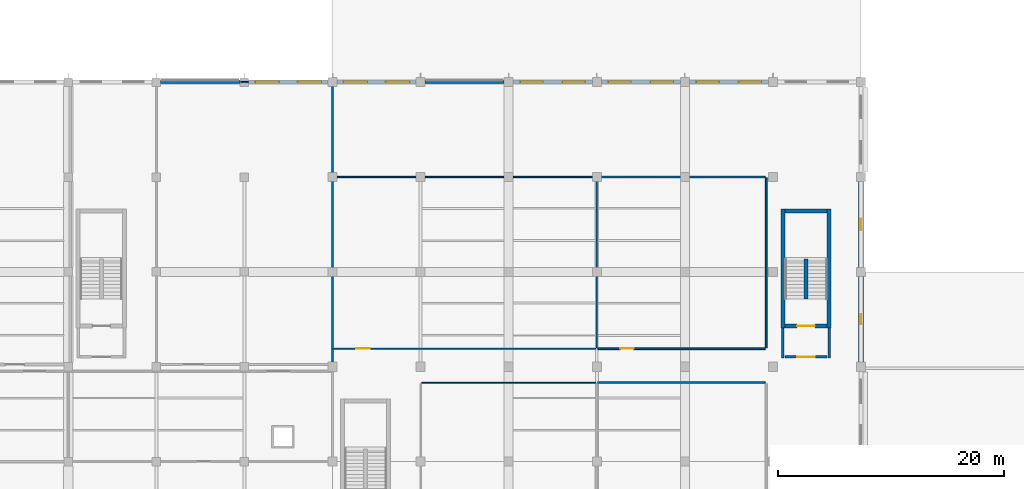
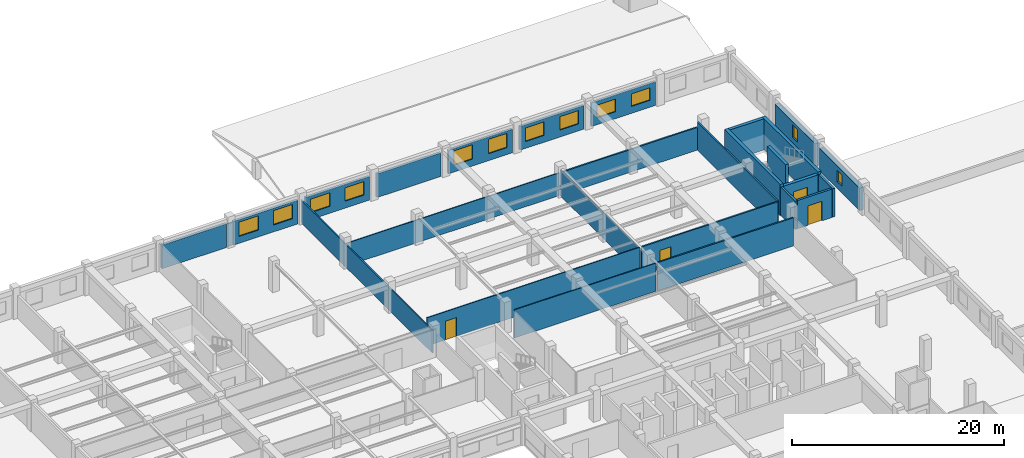
# One storey, part 45 of 50: 27 walls, 12 windows, 4 doors, 16 openings.
"""IFC4 building model written with IfcOpenShell, lengths in metres."""

from ifc_helpers import new_model, si_unit, direction, frame, frame_2d, origin, place, context, subcontext, project, spatial, rectangle, extrude, material, layer, layer_set, type_object, element, fill, save


model = new_model("IFC4")

# Units and contexts
model_context = context("Model", 3, precision=1e-05, world=origin(), true_north=direction((0.0, 1.0)))
body_context = subcontext(model_context, "Body", "Model", "MODEL_VIEW")
ifc_project = project(units=[si_unit("LENGTHUNIT", "METRE"), si_unit("AREAUNIT", "SQUARE_METRE"), si_unit("VOLUMEUNIT", "CUBIC_METRE"), si_unit("PLANEANGLEUNIT", "RADIAN"), si_unit("MASSUNIT", "GRAM", prefix="KILO"), si_unit("THERMODYNAMICTEMPERATUREUNIT", "KELVIN"), si_unit("POWERUNIT", "WATT")], contexts=[model_context])

# Site, building, storey
site_placement = place(None, origin())
site = spatial("IfcSite", under=ifc_project, at=site_placement, CompositionType="ELEMENT")
building_placement = place(site_placement, origin())
building = spatial("IfcBuilding", under=site, at=building_placement, Name="Srebrne Nadtorze General Hospital", CompositionType="ELEMENT")
storey_placement = place(building_placement, frame((0.0, 0.0, 14.39990234375)))
storey = spatial("IfcBuildingStorey", under=building, at=storey_placement, Name="L03", CompositionType="ELEMENT", Elevation=14.39990234375)

# Wall, opening, window
ifc_material_1 = material(Name="Concrete C40/50", Category="concrete")
ifc_layer_1 = layer(ifc_material_1, 0.419921875)
ifc_layer_set_1 = layer_set([ifc_layer_1], Name="Concrete C40/50")
wall_type_1 = type_object("IfcWallType", Name="Acoustic buffer wall 420", PredefinedType="SOLIDWALL", material=ifc_layer_set_1)
wall_1_placement = place(storey_placement, frame((148.199951171875, 67.60009765625, 0.0), z_axis=(0.0, 0.0, 1.0), x_axis=(0.0, 1.0, 0.0)))
wall_1 = element("IfcWall", 1, at=wall_1_placement, inside=storey, type_object=wall_type_1, Name="Exterior wall WL-ENV-L03-0341", PredefinedType="SOLIDWALL", context=body_context, shape_type="SweptSolid", body=[
    extrude(rectangle(XDim=7.599853515625, YDim=0.419921875, at=frame_2d((3.7998046875, 0.0))), origin(), (0.0, 0.0, 1.0), 2.6201171875),
])
opening_1_placement = place(wall_1_placement, frame((3.35009765625, 0.0, 0.800048828125)))
opening_1 = element("IfcOpeningElement", 2, at=opening_1_placement, cuts=wall_1, Name="Opening WN-L03-0503", PredefinedType="OPENING", context=body_context, shape_type="SweptSolid", body=[
    extrude(rectangle(XDim=0.89990234375, YDim=1.300048828125, at=frame_2d((0.449951171875, 0.64990234375))), frame((0.0, 0.221923828125, 0.0), z_axis=(0.0, -1.0, 0.0), x_axis=(1.0, 0.0, 0.0)), (0.0, 0.0, 1.0), 0.44384765625),
])
ifc_material_2 = material(Name="Triple Low-E Glazing", Category="glass")
window_type_1 = type_object("IfcWindowType", Name="Punched clinical window 900x1300", PartitioningType="SINGLE_PANEL", PredefinedType="WINDOW", material=ifc_material_2)
window_1_placement = place(opening_1_placement, origin())
window_1 = element("IfcWindow", 3, at=window_1_placement, inside=storey, type_object=window_type_1, Name="Clinical window WN-L03-0503", OverallHeight=1.300048828125, OverallWidth=0.89990234375, PartitioningType="SINGLE_PANEL", PredefinedType="WINDOW", context=body_context, shape_type="SweptSolid", body=[
    extrude(rectangle(XDim=0.89990234375, YDim=1.300048828125, at=frame_2d((0.449951171875, 0.64990234375))), frame((0.0, 0.030029296875, 0.0), z_axis=(0.0, -1.0, 0.0), x_axis=(1.0, 0.0, 0.0)), (0.0, 0.0, 1.0), 0.06005859375),
])
fill(opening_1, window_1)

wall_2_placement = place(storey_placement, frame((148.199951171875, 76.0, 0.0), z_axis=(0.0, 0.0, 1.0), x_axis=(0.0, 1.0, 0.0)))
wall_2 = element("IfcWall", 4, at=wall_2_placement, inside=storey, type_object=wall_type_1, Name="Exterior wall WL-ENV-L03-0342", PredefinedType="SOLIDWALL", context=body_context, shape_type="SweptSolid", body=[
    extrude(rectangle(XDim=7.60009765625, YDim=0.419921875, at=frame_2d((3.800048828125, 0.0))), origin(), (0.0, 0.0, 1.0), 2.6201171875),
])
opening_2_placement = place(wall_2_placement, frame((3.300048828125, 0.0, 0.800048828125)))
opening_2 = element("IfcOpeningElement", 5, at=opening_2_placement, cuts=wall_2, Name="Opening WN-L03-0504", PredefinedType="OPENING", context=body_context, shape_type="SweptSolid", body=[
    extrude(rectangle(XDim=1.0, YDim=1.449951171875, at=frame_2d((0.5, 0.72509765625))), frame((0.0, 0.221923828125, 0.0), z_axis=(0.0, -1.0, 0.0), x_axis=(1.0, 0.0, 0.0)), (0.0, 0.0, 1.0), 0.44384765625),
])
ifc_material_3 = material(Name="Triple Low-E Glazing", Category="glass")
window_type_2 = type_object("IfcWindowType", Name="Punched clinical window 1000x1450", PartitioningType="SINGLE_PANEL", PredefinedType="WINDOW", material=ifc_material_3)
window_2_placement = place(opening_2_placement, origin())
window_2 = element("IfcWindow", 6, at=window_2_placement, inside=storey, type_object=window_type_2, Name="Clinical window WN-L03-0504", OverallHeight=1.449951171875, OverallWidth=1.0, PartitioningType="SINGLE_PANEL", PredefinedType="WINDOW", context=body_context, shape_type="SweptSolid", body=[
    extrude(rectangle(XDim=1.0, YDim=1.449951171875, at=frame_2d((0.5, 0.72509765625))), frame((0.0, 0.030029296875, 0.0), z_axis=(0.0, -1.0, 0.0), x_axis=(1.0, 0.0, 0.0)), (0.0, 0.0, 1.0), 0.06005859375),
])
fill(opening_2, window_2)

# Walls
ifc_material_4 = material(Name="Gypsum Healthcare Partition")
ifc_layer_2 = layer(ifc_material_4, 0.139892578125)
ifc_layer_set_2 = layer_set([ifc_layer_2], Name="Gypsum Healthcare Partition")
wall_type_2 = type_object("IfcWallType", Name="Clinical partition 140", PredefinedType="PARTITIONING", material=ifc_layer_set_2)
wall_3_placement = place(storey_placement, frame((93.264892578125, 92.39990234375, 0.0), z_axis=(0.0, 0.0, 1.0), x_axis=(1.0, 0.0, 0.0)))
element("IfcWall", 7, at=wall_3_placement, inside=storey, type_object=wall_type_2, Name="Biomedical Clinical Engineering Workshop wall WL-INT-L03-1592", PredefinedType="PARTITIONING", context=body_context, shape_type="SweptSolid", body=[
    extrude(rectangle(XDim=0.670166015625, YDim=0.139892578125, at=frame_2d((0.3349609375, 0.0))), origin(), (0.0, 0.0, 1.0), 2.6201171875),
])
wall_4_placement = place(storey_placement, frame((101.39990234375, 67.485107421875, 0.0), z_axis=(0.0, 0.0, 1.0), x_axis=(0.0, 1.0, 0.0)))
element("IfcWall", 8, at=wall_4_placement, inside=storey, type_object=wall_type_2, Name="Biomedical Clinical Engineering Workshop wall WL-INT-L03-1594", PredefinedType="PARTITIONING", context=body_context, shape_type="SweptSolid", body=[
    extrude(rectangle(XDim=24.829833984375, YDim=0.139892578125, at=frame_2d((12.4150390625, 0.0))), origin(), (0.0, 0.0, 1.0), 2.6201171875),
])
ifc_material_5 = material(Name="Gypsum Healthcare Partition")
ifc_layer_3 = layer(ifc_material_5, 0.159912109375)
ifc_layer_set_3 = layer_set([ifc_layer_3], Name="Gypsum Healthcare Partition")
wall_type_3 = type_object("IfcWallType", Name="Clinical partition 160", PredefinedType="PARTITIONING", material=ifc_layer_set_3)
wall_5_placement = place(storey_placement, frame((124.885009765625, 65.800048828125, 0.0), z_axis=(0.0, 0.0, 1.0), x_axis=(1.0, 0.0, 0.0)))
element("IfcWall", 9, at=wall_5_placement, inside=storey, type_object=wall_type_3, Name="Histopathology and Cytology Laboratory wall WL-INT-L03-1613", PredefinedType="PARTITIONING", context=body_context, shape_type="SweptSolid", body=[
    extrude(rectangle(XDim=14.830078125, YDim=0.159912109375, at=frame_2d((7.4150390625, 0.0))), origin(), (0.0, 0.0, 1.0), 3.25),
])

# Wall, opening, door
wall_6_placement = place(storey_placement, frame((124.885009765625, 68.800048828125, 0.0), z_axis=(0.0, 0.0, 1.0), x_axis=(1.0, 0.0, 0.0)))
wall_6 = element("IfcWall", 10, at=wall_6_placement, inside=storey, type_object=wall_type_3, Name="Clinical Immunology Laboratory wall WL-INT-L03-1659", PredefinedType="PARTITIONING", context=body_context, shape_type="SweptSolid", body=[
    extrude(rectangle(XDim=14.830078125, YDim=0.159912109375, at=frame_2d((7.4150390625, 0.0))), origin(), (0.0, 0.0, 1.0), 3.25),
])
opening_3_placement = place(wall_6_placement, frame((1.984130859375, 0.0, 0.0)))
opening_3 = element("IfcOpeningElement", 11, at=opening_3_placement, cuts=wall_6, Name="Opening D-L03-0282", PredefinedType="OPENING", context=body_context, shape_type="SweptSolid", body=[
    extrude(rectangle(XDim=1.199951171875, YDim=2.14990234375, at=frame_2d((0.60009765625, 1.074951171875))), frame((0.0, 0.091796875, 0.0), z_axis=(0.0, -1.0, 0.0), x_axis=(1.0, 0.0, 0.0)), (0.0, 0.0, 1.0), 0.183837890625),
])
ifc_material_6 = material(Name="Anodised Aluminium", Category="aluminium")
door_type_1 = type_object("IfcDoorType", Name="Single leaf door 1200x2150", OperationType="NOTDEFINED", PredefinedType="DOOR", material=ifc_material_6)
door_1_placement = place(opening_3_placement, origin())
door_1 = element("IfcDoor", 12, at=door_1_placement, inside=storey, type_object=door_type_1, Name="Clinical Immunology Laboratory door D-L03-0282", OperationType="SINGLE_SWING_LEFT", OverallHeight=2.14990234375, OverallWidth=1.199951171875, PredefinedType="DOOR", context=body_context, shape_type="SweptSolid", body=[
    extrude(rectangle(XDim=1.199951171875, YDim=2.14990234375, at=frame_2d((0.60009765625, 1.074951171875))), frame((0.0, 0.02490234375, 0.0), z_axis=(0.0, -1.0, 0.0), x_axis=(1.0, 0.0, 0.0)), (0.0, 0.0, 1.0), 0.050048828125),
])
fill(opening_3, door_1)

# Walls
wall_7_placement = place(storey_placement, frame((124.885009765625, 84.0, 0.0), z_axis=(0.0, 0.0, 1.0), x_axis=(1.0, 0.0, 0.0)))
element("IfcWall", 13, at=wall_7_placement, inside=storey, type_object=wall_type_3, Name="Clinical Immunology Laboratory wall WL-INT-L03-1660", PredefinedType="PARTITIONING", context=body_context, shape_type="SweptSolid", body=[
    extrude(rectangle(XDim=14.830078125, YDim=0.159912109375, at=frame_2d((7.4150390625, 0.0))), origin(), (0.0, 0.0, 1.0), 2.6201171875),
])
wall_8_placement = place(storey_placement, frame((139.800048828125, 68.885009765625, 0.0), z_axis=(0.0, 0.0, 1.0), x_axis=(0.0, 1.0, 0.0)))
element("IfcWall", 14, at=wall_8_placement, inside=storey, type_object=wall_type_3, Name="Clinical Immunology Laboratory wall WL-INT-L03-1661", PredefinedType="PARTITIONING", context=body_context, shape_type="SweptSolid", body=[
    extrude(rectangle(XDim=15.030029296875, YDim=0.159912109375, at=frame_2d((7.51513671875, 0.0))), origin(), (0.0, 0.0, 1.0), 3.25),
])
ifc_material_7 = material(Name="Gypsum Healthcare Partition")
ifc_layer_4 = layer(ifc_material_7, 0.239990234375)
ifc_layer_set_4 = layer_set([ifc_layer_4], Name="Gypsum Healthcare Partition")
wall_type_4 = type_object("IfcWallType", Name="Corridor fire wall 240", PredefinedType="STANDARD", material=ifc_layer_set_4)
for number, where, z_axis, x_axis, name in (
    (15, (141.27490234375, 67.955078125, 0.0), (0.0, 0.0, 1.0), (0.0, 1.0, 0.0), "Fire lobby wall ST-04 WL-INT-L03-0269"),
    (16, (145.375, 67.955078125, 0.0), (0.0, 0.0, 1.0), (0.0, 1.0, 0.0), "Fire lobby wall ST-04 WL-INT-L03-0270"),
):
    element("IfcWall", number, at=place(storey_placement, frame(where, z_axis=z_axis, x_axis=x_axis)), inside=storey, type_object=wall_type_4, Name=name, PredefinedType="STANDARD", context=body_context, shape_type="SweptSolid", body=[
        extrude(rectangle(XDim=2.69482421875, YDim=0.239990234375, at=frame_2d((1.347412109375, 0.0))), origin(), (0.0, 0.0, 1.0), 3.27001953125),
    ])

# Wall, opening, door
wall_9_placement = place(storey_placement, frame((141.449951171875, 68.074951171875, 0.0), z_axis=(0.0, 0.0, 1.0), x_axis=(1.0, 0.0, 0.0)))
wall_9 = element("IfcWall", 17, at=wall_9_placement, inside=storey, type_object=wall_type_4, Name="Fire lobby entry wall ST-04 WL-INT-L03-0271", PredefinedType="STANDARD", context=body_context, shape_type="SweptSolid", body=[
    extrude(rectangle(XDim=3.75, YDim=0.239990234375, at=frame_2d((1.875, 0.0))), origin(), (0.0, 0.0, 1.0), 3.27001953125),
])
opening_4_placement = place(wall_9_placement, frame((1.10009765625, 0.0, 0.0)))
opening_4 = element("IfcOpeningElement", 18, at=opening_4_placement, cuts=wall_9, Name="Opening D-L03-0068", PredefinedType="OPENING", context=body_context, shape_type="SweptSolid", body=[
    extrude(rectangle(XDim=1.550048828125, YDim=2.25, at=frame_2d((0.77490234375, 1.125))), frame((0.0, 0.1318359375, 0.0), z_axis=(0.0, -1.0, 0.0), x_axis=(1.0, 0.0, 0.0)), (0.0, 0.0, 1.0), 0.263916015625),
])
ifc_material_8 = material(Name="Anodised Aluminium", Category="aluminium")
door_type_2 = type_object("IfcDoorType", Name="Double leaf door 1550x2250", OperationType="DOUBLE_DOOR_SINGLE_SWING", PredefinedType="DOOR", material=ifc_material_8)
door_2_placement = place(opening_4_placement, origin())
door_2 = element("IfcDoor", 19, at=door_2_placement, inside=storey, type_object=door_type_2, Name="Fire lobby door ST-04 D-L03-0068", OperationType="DOUBLE_DOOR_SINGLE_SWING", OverallHeight=2.25, OverallWidth=1.550048828125, PredefinedType="DOOR", context=body_context, shape_type="SweptSolid", body=[
    extrude(rectangle(XDim=1.550048828125, YDim=2.25, at=frame_2d((0.77490234375, 1.125))), frame((0.0, 0.02490234375, 0.0), z_axis=(0.0, -1.0, 0.0), x_axis=(1.0, 0.0, 0.0)), (0.0, 0.0, 1.0), 0.050048828125),
])
fill(opening_4, door_2)

# Wall
ifc_material_9 = material(Name="Gypsum Healthcare Partition")
ifc_layer_5 = layer(ifc_material_9, 0.10009765625)
ifc_layer_set_5 = layer_set([ifc_layer_5], Name="Gypsum Healthcare Partition")
wall_type_5 = type_object("IfcWallType", Name="Shaft lining wall 100", PredefinedType="PARTITIONING", material=ifc_layer_set_5)
wall_10_placement = place(storey_placement, frame((109.284912109375, 65.800048828125, 0.0), z_axis=(0.0, 0.0, 1.0), x_axis=(1.0, 0.0, 0.0)))
element("IfcWall", 20, at=wall_10_placement, inside=storey, type_object=wall_type_5, Name="Clinical Microbiology Laboratory wall WL-INT-L03-1609", PredefinedType="PARTITIONING", context=body_context, shape_type="SweptSolid", body=[
    extrude(rectangle(XDim=15.43017578125, YDim=0.10009765625, at=frame_2d((7.715087890625, 0.0))), origin(), (0.0, 0.0, 1.0), 3.25),
])

# Wall, opening, door
wall_11_placement = place(storey_placement, frame((101.485107421875, 68.800048828125, 0.0), z_axis=(0.0, 0.0, 1.0), x_axis=(1.0, 0.0, 0.0)))
wall_11 = element("IfcWall", 21, at=wall_11_placement, inside=storey, type_object=wall_type_5, Name="Molecular Diagnostics and Genomics Lab wall WL-INT-L03-1656", PredefinedType="PARTITIONING", context=body_context, shape_type="SweptSolid", body=[
    extrude(rectangle(XDim=23.22998046875, YDim=0.10009765625, at=frame_2d((11.614990234375, 0.0))), origin(), (0.0, 0.0, 1.0), 3.25),
])
opening_5_placement = place(wall_11_placement, frame((1.994384765625, 0.0, 0.0)))
opening_5 = element("IfcOpeningElement", 22, at=opening_5_placement, cuts=wall_11, Name="Opening D-L03-0281", PredefinedType="OPENING", context=body_context, shape_type="SweptSolid", body=[
    extrude(rectangle(XDim=1.199951171875, YDim=2.14990234375, at=frame_2d((0.60009765625, 1.074951171875))), frame((0.0, 0.06201171875, 0.0), z_axis=(0.0, -1.0, 0.0), x_axis=(1.0, 0.0, 0.0)), (0.0, 0.0, 1.0), 0.1240234375),
])
door_3_placement = place(opening_5_placement, origin())
door_3 = element("IfcDoor", 23, at=door_3_placement, inside=storey, type_object=door_type_1, Name="Molecular Diagnostics and Genomics Lab door D-L03-0281", OperationType="SINGLE_SWING_LEFT", OverallHeight=2.14990234375, OverallWidth=1.199951171875, PredefinedType="DOOR", context=body_context, shape_type="SweptSolid", body=[
    extrude(rectangle(XDim=1.199951171875, YDim=2.14990234375, at=frame_2d((0.60009765625, 1.074951171875))), frame((0.0, 0.02490234375, 0.0), z_axis=(0.0, -1.0, 0.0), x_axis=(1.0, 0.0, 0.0)), (0.0, 0.0, 1.0), 0.050048828125),
])
fill(opening_5, door_3)

# Walls
wall_12_placement = place(storey_placement, frame((101.485107421875, 84.0, 0.0), z_axis=(0.0, 0.0, 1.0), x_axis=(1.0, 0.0, 0.0)))
element("IfcWall", 24, at=wall_12_placement, inside=storey, type_object=wall_type_5, Name="Molecular Diagnostics and Genomics Lab wall WL-INT-L03-1657", PredefinedType="PARTITIONING", context=body_context, shape_type="SweptSolid", body=[
    extrude(rectangle(XDim=23.22998046875, YDim=0.10009765625, at=frame_2d((11.614990234375, 0.0))), origin(), (0.0, 0.0, 1.0), 2.6201171875),
])
wall_13_placement = place(storey_placement, frame((124.800048828125, 68.885009765625, 0.0), z_axis=(0.0, 0.0, 1.0), x_axis=(0.0, 1.0, 0.0)))
element("IfcWall", 25, at=wall_13_placement, inside=storey, type_object=wall_type_5, Name="Molecular Diagnostics and Genomics Lab wall WL-INT-L03-1658", PredefinedType="PARTITIONING", context=body_context, shape_type="SweptSolid", body=[
    extrude(rectangle(XDim=15.030029296875, YDim=0.10009765625, at=frame_2d((7.51513671875, 0.0))), origin(), (0.0, 0.0, 1.0), 2.989990234375),
])
ifc_material_10 = material(Name="Concrete C40/50", Category="concrete")
ifc_layer_6 = layer(ifc_material_10, 0.35009765625)
ifc_layer_set_6 = layer_set([ifc_layer_6], Name="Concrete C40/50")
wall_type_6 = type_object("IfcWallType", Name="Shear core wall 350", PredefinedType="SHEAR", material=ifc_layer_set_6)
for number, where, z_axis, x_axis, name in (
    (26, (141.27490234375, 70.64990234375, 0.0), (0.0, 0.0, 1.0), (0.0, 1.0, 0.0), "Stair core wall ST-04 WL-INT-L03-0265"),
    (27, (145.375, 70.64990234375, 0.0), (0.0, 0.0, 1.0), (0.0, 1.0, 0.0), "Stair core wall ST-04 WL-INT-L03-0266"),
):
    element("IfcWall", number, at=place(storey_placement, frame(where, z_axis=z_axis, x_axis=x_axis)), inside=storey, type_object=wall_type_6, Name=name, PredefinedType="SHEAR", context=body_context, shape_type="SweptSolid", body=[
        extrude(rectangle(XDim=10.5, YDim=0.35009765625, at=frame_2d((5.25, 0.0))), origin(), (0.0, 0.0, 1.0), 3.60009765625),
    ])
wall_14_placement = place(storey_placement, frame((141.449951171875, 80.97509765625, 0.0), z_axis=(0.0, 0.0, 1.0), x_axis=(1.0, 0.0, 0.0)))
element("IfcWall", 28, at=wall_14_placement, inside=storey, type_object=wall_type_6, Name="Stair core wall ST-04 WL-INT-L03-0267", PredefinedType="SHEAR", context=body_context, shape_type="SweptSolid", body=[
    extrude(rectangle(XDim=3.75, YDim=0.35009765625, at=frame_2d((1.875, 0.0))), origin(), (0.0, 0.0, 1.0), 3.60009765625),
])

# Wall, opening, door
wall_15_placement = place(storey_placement, frame((141.449951171875, 70.824951171875, 0.0), z_axis=(0.0, 0.0, 1.0), x_axis=(1.0, 0.0, 0.0)))
wall_15 = element("IfcWall", 29, at=wall_15_placement, inside=storey, type_object=wall_type_6, Name="Stairwell fire wall ST-04 WL-INT-L03-0268", PredefinedType="SHEAR", context=body_context, shape_type="SweptSolid", body=[
    extrude(rectangle(XDim=3.75, YDim=0.35009765625, at=frame_2d((1.875, 0.0))), origin(), (0.0, 0.0, 1.0), 3.27001953125),
])
opening_6_placement = place(wall_15_placement, frame((1.10009765625, 0.0, 0.0)))
opening_6 = element("IfcOpeningElement", 30, at=opening_6_placement, cuts=wall_15, Name="Opening D-L03-0067", PredefinedType="OPENING", context=body_context, shape_type="SweptSolid", body=[
    extrude(rectangle(XDim=1.550048828125, YDim=2.25, at=frame_2d((0.77490234375, 1.125))), frame((0.0, 0.18701171875, 0.0), z_axis=(0.0, -1.0, 0.0), x_axis=(1.0, 0.0, 0.0)), (0.0, 0.0, 1.0), 0.3740234375),
])
door_4_placement = place(opening_6_placement, origin())
door_4 = element("IfcDoor", 31, at=door_4_placement, inside=storey, type_object=door_type_2, Name="Protected stair door ST-04 D-L03-0067", OperationType="DOUBLE_DOOR_SINGLE_SWING", OverallHeight=2.25, OverallWidth=1.550048828125, PredefinedType="DOOR", context=body_context, shape_type="SweptSolid", body=[
    extrude(rectangle(XDim=1.550048828125, YDim=2.25, at=frame_2d((0.77490234375, 1.125))), frame((0.0, 0.02490234375, 0.0), z_axis=(0.0, -1.0, 0.0), x_axis=(1.0, 0.0, 0.0)), (0.0, 0.0, 1.0), 0.050048828125),
])
fill(opening_6, door_4)

# Wall
wall_16_placement = place(storey_placement, frame((143.324951171875, 73.199951171875, 0.0), z_axis=(0.0, 0.0, 1.0), x_axis=(0.0, 1.0, 0.0)))
element("IfcWall", 32, at=wall_16_placement, inside=storey, type_object=wall_type_6, Name="Stair spine wall ST-04 WL-INT-L03-0272", PredefinedType="SHEAR", context=body_context, shape_type="SweptSolid", body=[
    extrude(rectangle(XDim=3.52001953125, YDim=0.35009765625, at=frame_2d((1.760009765625, 0.0))), origin(), (0.0, 0.0, 1.0), 3.60009765625),
])

# Wall, openings, windows
ifc_material_11 = material(Name="Concrete C35/45 precast", Category="concrete")
ifc_layer_7 = layer(ifc_material_11, 0.260009765625)
ifc_layer_set_7 = layer_set([ifc_layer_7], Name="Concrete C35/45 precast")
wall_type_7 = type_object("IfcWallType", Name="Spandrel wall 260", PredefinedType="STANDARD", material=ifc_layer_set_7)
wall_17_placement = place(storey_placement, frame((101.800048828125, 92.39990234375, 0.0), z_axis=(0.0, 0.0, 1.0), x_axis=(1.0, 0.0, 0.0)))
wall_17 = element("IfcWall", 33, at=wall_17_placement, inside=storey, type_object=wall_type_7, Name="Exterior wall WL-ENV-L03-0308", PredefinedType="STANDARD", context=body_context, shape_type="SweptSolid", body=[
    extrude(rectangle(XDim=7.0, YDim=0.260009765625, at=frame_2d((3.5, 0.0))), origin(), (0.0, 0.0, 1.0), 2.72021484375),
])
opening_7_placement = place(wall_17_placement, frame((0.577880859375, 0.0, 0.800048828125)))
opening_7 = element("IfcOpeningElement", 34, at=opening_7_placement, cuts=wall_17, Name="Opening WN-L03-0437", PredefinedType="OPENING", context=body_context, shape_type="SweptSolid", body=[
    extrude(rectangle(XDim=2.10009765625, YDim=1.550048828125, at=frame_2d((1.050048828125, 0.77490234375))), frame((0.0, 0.14208984375, 0.0), z_axis=(0.0, -1.0, 0.0), x_axis=(1.0, 0.0, 0.0)), (0.0, 0.0, 1.0), 0.283935546875),
])
opening_8_placement = place(wall_17_placement, frame((4.322021484375, 0.0, 0.800048828125)))
opening_8 = element("IfcOpeningElement", 35, at=opening_8_placement, cuts=wall_17, Name="Opening WN-L03-0438", PredefinedType="OPENING", context=body_context, shape_type="SweptSolid", body=[
    extrude(rectangle(XDim=2.10009765625, YDim=1.550048828125, at=frame_2d((1.050048828125, 0.77490234375))), frame((0.0, 0.14208984375, 0.0), z_axis=(0.0, -1.0, 0.0), x_axis=(1.0, 0.0, 0.0)), (0.0, 0.0, 1.0), 0.283935546875),
])
ifc_material_12 = material(Name="Triple Low-E Glazing", Category="glass")
window_type_3 = type_object("IfcWindowType", Name="Punched clinical window 2100x1550", PartitioningType="DOUBLE_PANEL_VERTICAL", PredefinedType="WINDOW", material=ifc_material_12)
window_3_placement = place(opening_7_placement, origin())
window_3 = element("IfcWindow", 36, at=window_3_placement, inside=storey, type_object=window_type_3, Name="Clinical window WN-L03-0437", OverallHeight=1.550048828125, OverallWidth=2.10009765625, PartitioningType="DOUBLE_PANEL_VERTICAL", PredefinedType="WINDOW", context=body_context, shape_type="SweptSolid", body=[
    extrude(rectangle(XDim=2.10009765625, YDim=1.550048828125, at=frame_2d((1.050048828125, 0.77490234375))), frame((0.0, 0.030029296875, 0.0), z_axis=(0.0, -1.0, 0.0), x_axis=(1.0, 0.0, 0.0)), (0.0, 0.0, 1.0), 0.06005859375),
])
fill(opening_7, window_3)
window_4_placement = place(opening_8_placement, origin())
window_4 = element("IfcWindow", 37, at=window_4_placement, inside=storey, type_object=window_type_3, Name="Clinical window WN-L03-0438", OverallHeight=1.550048828125, OverallWidth=2.10009765625, PartitioningType="DOUBLE_PANEL_VERTICAL", PredefinedType="WINDOW", context=body_context, shape_type="SweptSolid", body=[
    extrude(rectangle(XDim=2.10009765625, YDim=1.550048828125, at=frame_2d((1.050048828125, 0.77490234375))), frame((0.0, 0.030029296875, 0.0), z_axis=(0.0, -1.0, 0.0), x_axis=(1.0, 0.0, 0.0)), (0.0, 0.0, 1.0), 0.06005859375),
])
fill(opening_8, window_4)

# Wall
wall_18_placement = place(storey_placement, frame((109.60009765625, 92.39990234375, 0.0), z_axis=(0.0, 0.0, 1.0), x_axis=(1.0, 0.0, 0.0)))
element("IfcWall", 38, at=wall_18_placement, inside=storey, type_object=wall_type_7, Name="Exterior wall WL-ENV-L03-0309", PredefinedType="STANDARD", context=body_context, shape_type="SweptSolid", body=[
    extrude(rectangle(XDim=7.0, YDim=0.260009765625, at=frame_2d((3.5, 0.0))), origin(), (0.0, 0.0, 1.0), 2.72021484375),
])

# Wall, openings, windows
wall_19_placement = place(storey_placement, frame((117.39990234375, 92.39990234375, 0.0), z_axis=(0.0, 0.0, 1.0), x_axis=(1.0, 0.0, 0.0)))
wall_19 = element("IfcWall", 39, at=wall_19_placement, inside=storey, type_object=wall_type_7, Name="Exterior wall WL-ENV-L03-0310", PredefinedType="STANDARD", context=body_context, shape_type="SweptSolid", body=[
    extrude(rectangle(XDim=7.0, YDim=0.260009765625, at=frame_2d((3.5, 0.0))), origin(), (0.0, 0.0, 1.0), 2.72021484375),
])
opening_9_placement = place(wall_19_placement, frame((0.6279296875, 0.0, 0.800048828125)))
opening_9 = element("IfcOpeningElement", 40, at=opening_9_placement, cuts=wall_19, Name="Opening WN-L03-0439", PredefinedType="OPENING", context=body_context, shape_type="SweptSolid", body=[
    extrude(rectangle(XDim=2.0, YDim=1.64990234375, at=frame_2d((1.0, 0.824951171875))), frame((0.0, 0.14208984375, 0.0), z_axis=(0.0, -1.0, 0.0), x_axis=(1.0, 0.0, 0.0)), (0.0, 0.0, 1.0), 0.283935546875),
])
opening_10_placement = place(wall_19_placement, frame((4.3720703125, 0.0, 0.800048828125)))
opening_10 = element("IfcOpeningElement", 41, at=opening_10_placement, cuts=wall_19, Name="Opening WN-L03-0440", PredefinedType="OPENING", context=body_context, shape_type="SweptSolid", body=[
    extrude(rectangle(XDim=2.0, YDim=1.64990234375, at=frame_2d((1.0, 0.824951171875))), frame((0.0, 0.14208984375, 0.0), z_axis=(0.0, -1.0, 0.0), x_axis=(1.0, 0.0, 0.0)), (0.0, 0.0, 1.0), 0.283935546875),
])
ifc_material_13 = material(Name="Triple Low-E Glazing", Category="glass")
window_type_4 = type_object("IfcWindowType", Name="Punched clinical window 2000x1650", PartitioningType="DOUBLE_PANEL_VERTICAL", PredefinedType="WINDOW", material=ifc_material_13)
window_5_placement = place(opening_9_placement, origin())
window_5 = element("IfcWindow", 42, at=window_5_placement, inside=storey, type_object=window_type_4, Name="Clinical window WN-L03-0439", OverallHeight=1.64990234375, OverallWidth=2.0, PartitioningType="DOUBLE_PANEL_VERTICAL", PredefinedType="WINDOW", context=body_context, shape_type="SweptSolid", body=[
    extrude(rectangle(XDim=2.0, YDim=1.64990234375, at=frame_2d((1.0, 0.824951171875))), frame((0.0, 0.030029296875, 0.0), z_axis=(0.0, -1.0, 0.0), x_axis=(1.0, 0.0, 0.0)), (0.0, 0.0, 1.0), 0.06005859375),
])
fill(opening_9, window_5)
window_6_placement = place(opening_10_placement, origin())
window_6 = element("IfcWindow", 43, at=window_6_placement, inside=storey, type_object=window_type_4, Name="Clinical window WN-L03-0440", OverallHeight=1.64990234375, OverallWidth=2.0, PartitioningType="DOUBLE_PANEL_VERTICAL", PredefinedType="WINDOW", context=body_context, shape_type="SweptSolid", body=[
    extrude(rectangle(XDim=2.0, YDim=1.64990234375, at=frame_2d((1.0, 0.824951171875))), frame((0.0, 0.030029296875, 0.0), z_axis=(0.0, -1.0, 0.0), x_axis=(1.0, 0.0, 0.0)), (0.0, 0.0, 1.0), 0.06005859375),
])
fill(opening_10, window_6)

wall_20_placement = place(storey_placement, frame((125.199951171875, 92.39990234375, 0.0), z_axis=(0.0, 0.0, 1.0), x_axis=(1.0, 0.0, 0.0)))
wall_20 = element("IfcWall", 44, at=wall_20_placement, inside=storey, type_object=wall_type_7, Name="Exterior wall WL-ENV-L03-0311", PredefinedType="STANDARD", context=body_context, shape_type="SweptSolid", body=[
    extrude(rectangle(XDim=7.0, YDim=0.260009765625, at=frame_2d((3.5, 0.0))), origin(), (0.0, 0.0, 1.0), 2.72021484375),
])
opening_11_placement = place(wall_20_placement, frame((0.6279296875, 0.0, 0.800048828125)))
opening_11 = element("IfcOpeningElement", 45, at=opening_11_placement, cuts=wall_20, Name="Opening WN-L03-0441", PredefinedType="OPENING", context=body_context, shape_type="SweptSolid", body=[
    extrude(rectangle(XDim=2.0, YDim=1.550048828125, at=frame_2d((1.0, 0.77490234375))), frame((0.0, 0.14208984375, 0.0), z_axis=(0.0, -1.0, 0.0), x_axis=(1.0, 0.0, 0.0)), (0.0, 0.0, 1.0), 0.283935546875),
])
opening_12_placement = place(wall_20_placement, frame((4.3720703125, 0.0, 0.800048828125)))
opening_12 = element("IfcOpeningElement", 46, at=opening_12_placement, cuts=wall_20, Name="Opening WN-L03-0442", PredefinedType="OPENING", context=body_context, shape_type="SweptSolid", body=[
    extrude(rectangle(XDim=2.0, YDim=1.550048828125, at=frame_2d((1.0, 0.77490234375))), frame((0.0, 0.14208984375, 0.0), z_axis=(0.0, -1.0, 0.0), x_axis=(1.0, 0.0, 0.0)), (0.0, 0.0, 1.0), 0.283935546875),
])
ifc_material_14 = material(Name="Triple Low-E Glazing", Category="glass")
window_type_5 = type_object("IfcWindowType", Name="Punched clinical window 2000x1550", PartitioningType="DOUBLE_PANEL_VERTICAL", PredefinedType="WINDOW", material=ifc_material_14)
window_7_placement = place(opening_11_placement, origin())
window_7 = element("IfcWindow", 47, at=window_7_placement, inside=storey, type_object=window_type_5, Name="Clinical window WN-L03-0441", OverallHeight=1.550048828125, OverallWidth=2.0, PartitioningType="DOUBLE_PANEL_VERTICAL", PredefinedType="WINDOW", context=body_context, shape_type="SweptSolid", body=[
    extrude(rectangle(XDim=2.0, YDim=1.550048828125, at=frame_2d((1.0, 0.77490234375))), frame((0.0, 0.030029296875, 0.0), z_axis=(0.0, -1.0, 0.0), x_axis=(1.0, 0.0, 0.0)), (0.0, 0.0, 1.0), 0.06005859375),
])
fill(opening_11, window_7)
window_8_placement = place(opening_12_placement, origin())
window_8 = element("IfcWindow", 48, at=window_8_placement, inside=storey, type_object=window_type_5, Name="Clinical window WN-L03-0442", OverallHeight=1.550048828125, OverallWidth=2.0, PartitioningType="DOUBLE_PANEL_VERTICAL", PredefinedType="WINDOW", context=body_context, shape_type="SweptSolid", body=[
    extrude(rectangle(XDim=2.0, YDim=1.550048828125, at=frame_2d((1.0, 0.77490234375))), frame((0.0, 0.030029296875, 0.0), z_axis=(0.0, -1.0, 0.0), x_axis=(1.0, 0.0, 0.0)), (0.0, 0.0, 1.0), 0.06005859375),
])
fill(opening_12, window_8)

wall_21_placement = place(storey_placement, frame((133.0, 92.39990234375, 0.0), z_axis=(0.0, 0.0, 1.0), x_axis=(1.0, 0.0, 0.0)))
wall_21 = element("IfcWall", 49, at=wall_21_placement, inside=storey, type_object=wall_type_7, Name="Exterior wall WL-ENV-L03-0312", PredefinedType="STANDARD", context=body_context, shape_type="SweptSolid", body=[
    extrude(rectangle(XDim=7.0, YDim=0.260009765625, at=frame_2d((3.5, 0.0))), origin(), (0.0, 0.0, 1.0), 2.72021484375),
])
opening_13_placement = place(wall_21_placement, frame((0.6279296875, 0.0, 0.800048828125)))
opening_13 = element("IfcOpeningElement", 50, at=opening_13_placement, cuts=wall_21, Name="Opening WN-L03-0443", PredefinedType="OPENING", context=body_context, shape_type="SweptSolid", body=[
    extrude(rectangle(XDim=2.0, YDim=1.449951171875, at=frame_2d((1.0, 0.72509765625))), frame((0.0, 0.14208984375, 0.0), z_axis=(0.0, -1.0, 0.0), x_axis=(1.0, 0.0, 0.0)), (0.0, 0.0, 1.0), 0.283935546875),
])
opening_14_placement = place(wall_21_placement, frame((4.3720703125, 0.0, 0.800048828125)))
opening_14 = element("IfcOpeningElement", 51, at=opening_14_placement, cuts=wall_21, Name="Opening WN-L03-0444", PredefinedType="OPENING", context=body_context, shape_type="SweptSolid", body=[
    extrude(rectangle(XDim=2.0, YDim=1.449951171875, at=frame_2d((1.0, 0.72509765625))), frame((0.0, 0.14208984375, 0.0), z_axis=(0.0, -1.0, 0.0), x_axis=(1.0, 0.0, 0.0)), (0.0, 0.0, 1.0), 0.283935546875),
])
ifc_material_15 = material(Name="Triple Low-E Glazing", Category="glass")
window_type_6 = type_object("IfcWindowType", Name="Punched clinical window 2000x1450", PartitioningType="DOUBLE_PANEL_VERTICAL", PredefinedType="WINDOW", material=ifc_material_15)
window_9_placement = place(opening_13_placement, origin())
window_9 = element("IfcWindow", 52, at=window_9_placement, inside=storey, type_object=window_type_6, Name="Clinical window WN-L03-0443", OverallHeight=1.449951171875, OverallWidth=2.0, PartitioningType="DOUBLE_PANEL_VERTICAL", PredefinedType="WINDOW", context=body_context, shape_type="SweptSolid", body=[
    extrude(rectangle(XDim=2.0, YDim=1.449951171875, at=frame_2d((1.0, 0.72509765625))), frame((0.0, 0.030029296875, 0.0), z_axis=(0.0, -1.0, 0.0), x_axis=(1.0, 0.0, 0.0)), (0.0, 0.0, 1.0), 0.06005859375),
])
fill(opening_13, window_9)
window_10_placement = place(opening_14_placement, origin())
window_10 = element("IfcWindow", 53, at=window_10_placement, inside=storey, type_object=window_type_6, Name="Clinical window WN-L03-0444", OverallHeight=1.449951171875, OverallWidth=2.0, PartitioningType="DOUBLE_PANEL_VERTICAL", PredefinedType="WINDOW", context=body_context, shape_type="SweptSolid", body=[
    extrude(rectangle(XDim=2.0, YDim=1.449951171875, at=frame_2d((1.0, 0.72509765625))), frame((0.0, 0.030029296875, 0.0), z_axis=(0.0, -1.0, 0.0), x_axis=(1.0, 0.0, 0.0)), (0.0, 0.0, 1.0), 0.06005859375),
])
fill(opening_14, window_10)

# Wall
ifc_material_16 = material(Name="Concrete C35/45 precast", Category="concrete")
ifc_layer_8 = layer(ifc_material_16, 0.280029296875)
ifc_layer_set_8 = layer_set([ifc_layer_8], Name="Concrete C35/45 precast")
wall_type_8 = type_object("IfcWallType", Name="Spandrel wall 280", PredefinedType="STANDARD", material=ifc_layer_set_8)
wall_22_placement = place(storey_placement, frame((86.175048828125, 92.39990234375, 0.0), z_axis=(0.0, 0.0, 1.0), x_axis=(1.0, 0.0, 0.0)))
element("IfcWall", 54, at=wall_22_placement, inside=storey, type_object=wall_type_8, Name="Exterior wall WL-ENV-L03-0306", PredefinedType="STANDARD", context=body_context, shape_type="SweptSolid", body=[
    extrude(rectangle(XDim=7.050048828125, YDim=0.280029296875, at=frame_2d((3.52490234375, 0.0))), origin(), (0.0, 0.0, 1.0), 2.72021484375),
])

# Wall, openings, windows
wall_23_placement = place(storey_placement, frame((93.97509765625, 92.39990234375, 0.0), z_axis=(0.0, 0.0, 1.0), x_axis=(1.0, 0.0, 0.0)))
wall_23 = element("IfcWall", 55, at=wall_23_placement, inside=storey, type_object=wall_type_8, Name="Exterior wall WL-ENV-L03-0307", PredefinedType="STANDARD", context=body_context, shape_type="SweptSolid", body=[
    extrude(rectangle(XDim=7.02490234375, YDim=0.280029296875, at=frame_2d((3.512451171875, 0.0))), origin(), (0.0, 0.0, 1.0), 2.72021484375),
])
opening_15_placement = place(wall_23_placement, frame((0.60302734375, 0.0, 0.800048828125)))
opening_15 = element("IfcOpeningElement", 56, at=opening_15_placement, cuts=wall_23, Name="Opening WN-L03-0435", PredefinedType="OPENING", context=body_context, shape_type="SweptSolid", body=[
    extrude(rectangle(XDim=2.10009765625, YDim=1.64990234375, at=frame_2d((1.050048828125, 0.824951171875))), frame((0.0, 0.15185546875, 0.0), z_axis=(0.0, -1.0, 0.0), x_axis=(1.0, 0.0, 0.0)), (0.0, 0.0, 1.0), 0.303955078125),
])
opening_16_placement = place(wall_23_placement, frame((4.346923828125, 0.0, 0.800048828125)))
opening_16 = element("IfcOpeningElement", 57, at=opening_16_placement, cuts=wall_23, Name="Opening WN-L03-0436", PredefinedType="OPENING", context=body_context, shape_type="SweptSolid", body=[
    extrude(rectangle(XDim=2.10009765625, YDim=1.64990234375, at=frame_2d((1.050048828125, 0.824951171875))), frame((0.0, 0.15185546875, 0.0), z_axis=(0.0, -1.0, 0.0), x_axis=(1.0, 0.0, 0.0)), (0.0, 0.0, 1.0), 0.303955078125),
])
ifc_material_17 = material(Name="Triple Low-E Glazing", Category="glass")
window_type_7 = type_object("IfcWindowType", Name="Punched clinical window 2100x1650", PartitioningType="DOUBLE_PANEL_VERTICAL", PredefinedType="WINDOW", material=ifc_material_17)
window_11_placement = place(opening_15_placement, origin())
window_11 = element("IfcWindow", 58, at=window_11_placement, inside=storey, type_object=window_type_7, Name="Clinical window WN-L03-0435", OverallHeight=1.64990234375, OverallWidth=2.10009765625, PartitioningType="DOUBLE_PANEL_VERTICAL", PredefinedType="WINDOW", context=body_context, shape_type="SweptSolid", body=[
    extrude(rectangle(XDim=2.10009765625, YDim=1.64990234375, at=frame_2d((1.050048828125, 0.824951171875))), frame((0.0, 0.030029296875, 0.0), z_axis=(0.0, -1.0, 0.0), x_axis=(1.0, 0.0, 0.0)), (0.0, 0.0, 1.0), 0.06005859375),
])
fill(opening_15, window_11)
window_12_placement = place(opening_16_placement, origin())
window_12 = element("IfcWindow", 59, at=window_12_placement, inside=storey, type_object=window_type_7, Name="Clinical window WN-L03-0436", OverallHeight=1.64990234375, OverallWidth=2.10009765625, PartitioningType="DOUBLE_PANEL_VERTICAL", PredefinedType="WINDOW", context=body_context, shape_type="SweptSolid", body=[
    extrude(rectangle(XDim=2.10009765625, YDim=1.64990234375, at=frame_2d((1.050048828125, 0.824951171875))), frame((0.0, 0.030029296875, 0.0), z_axis=(0.0, -1.0, 0.0), x_axis=(1.0, 0.0, 0.0)), (0.0, 0.0, 1.0), 0.06005859375),
])
fill(opening_16, window_12)

save(model, "model.ifc")
